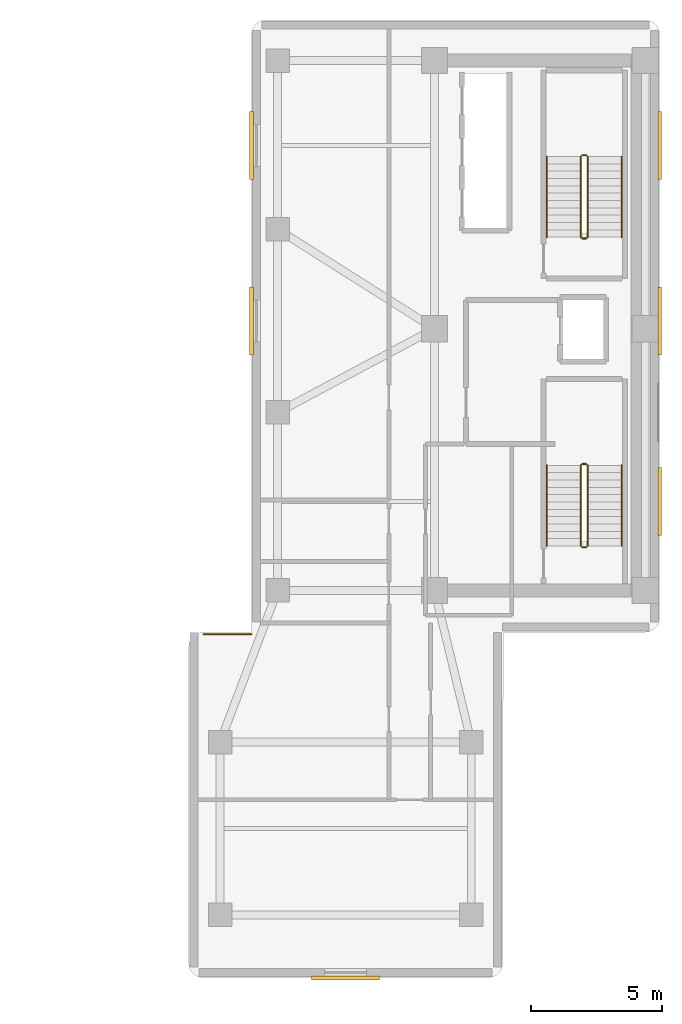
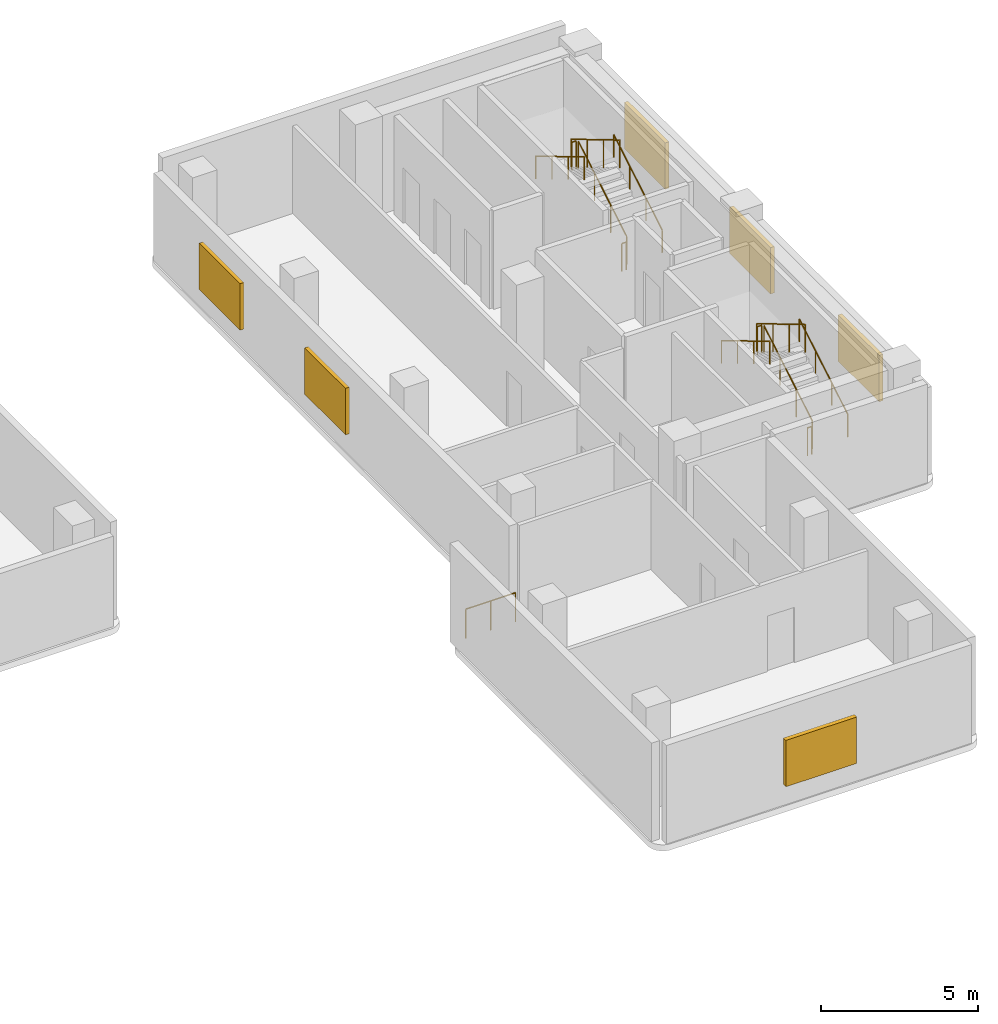
# One storey, part 9 of 9: 13 railings, 6 shading devices.
"""IFC4 building model written with IfcOpenShell, lengths in metres."""

import ifcopenshell
import ifcopenshell.guid

model = None  # the IFC model being written
_history = None  # IfcOwnerHistory: only IFC2X3 demands one
_inside = {}  # id of a spatial element -> (the spatial element, [elements in it])
_under = {}  # id of a project, library or spatial element -> (it, [spatial elements below it])
_declared = {}  # id of a project -> (the project, [libraries it declares])
_typed = {}  # id of a type object -> (the type object, [elements of that type])
_made_of = {}  # id of a material, layer set ... -> (it, [elements and type objects made of it])


def new_model(schema):
    """Start an empty IFC model of exactly this schema.

    Asked for "IFC4X3", IfcOpenShell would pick the latest addendum, in which some entities
    have other attributes; the version numbers below select the first issue.
    IFC2X3 requires an IfcOwnerHistory on every rooted entity: one is made here for all.
    """
    global model, _history
    if schema == "IFC4X3":
        model = ifcopenshell.file(schema_version=(4, 3, 0, 0))
    else:
        model = ifcopenshell.file(schema=schema)
    _inside.clear()
    _under.clear()
    _declared.clear()
    _typed.clear()
    _made_of.clear()
    _history = None
    if model.schema == "IFC2X3":
        org = make("IfcOrganization", Name="unknown")
        user = make(
            "IfcPersonAndOrganization",
            ThePerson=make("IfcPerson", FamilyName="unknown"),
            TheOrganization=org,
        )
        app = make(
            "IfcApplication",
            ApplicationDeveloper=org,
            Version="unknown",
            ApplicationFullName="unknown",
            ApplicationIdentifier="unknown",
        )
        _history = make(
            "IfcOwnerHistory",
            OwningUser=user,
            OwningApplication=app,
            ChangeAction="ADDED",
            CreationDate=0,
        )
    return model


def make(cls, **values):
    """One entity of the class cls with the attributes given. An attribute that is None is left unset."""
    return model.create_entity(
        cls, **{name: value for name, value in values.items() if value is not None}
    )


def rooted(cls, **values):
    """An entity with a GlobalId (a new one), such as an element, a storey or a relation."""
    return make(cls, GlobalId=ifcopenshell.guid.new(), OwnerHistory=_history, **values)


def si_unit(unit_type, name, prefix=None):
    """IfcSIUnit, for example si_unit("LENGTHUNIT", "METRE", prefix="MILLI")."""
    return make("IfcSIUnit", UnitType=unit_type, Prefix=prefix, Name=name)


def assignment(units):
    """IfcUnitAssignment: the units of a project."""
    return None if units is None else make("IfcUnitAssignment", Units=units)


def point(xyz):
    """IfcCartesianPoint."""
    return None if xyz is None else make("IfcCartesianPoint", Coordinates=xyz)


def direction(xyz):
    """IfcDirection."""
    return None if xyz is None else make("IfcDirection", DirectionRatios=xyz)


def frame(location, z_axis=None, x_axis=None):
    """IfcAxis2Placement3D, a coordinate frame: its origin and axes. An axis left out is left unset."""
    return make(
        "IfcAxis2Placement3D",
        Location=point(location),
        Axis=direction(z_axis),
        RefDirection=direction(x_axis),
    )


def frame_2d(location, x_axis=None):
    """IfcAxis2Placement2D, a coordinate frame in the plane: its origin and x axis."""
    return make(
        "IfcAxis2Placement2D", Location=point(location), RefDirection=direction(x_axis)
    )


def origin():
    """The frame at (0, 0, 0) with its axes left unset."""
    return frame((0.0, 0.0, 0.0))


def origin_2d():
    """The frame at (0, 0) in the plane with its x axis left unset."""
    return frame_2d((0.0, 0.0))


def place(relative_to, where):
    """IfcLocalPlacement: puts the frame where relative to a parent placement (None: the world)."""
    return make(
        "IfcLocalPlacement", PlacementRelTo=relative_to, RelativePlacement=where
    )


def context(
    kind, dimensions, precision=None, world=None, true_north=None, identifier=None
):
    """IfcGeometricRepresentationContext, for example the 3D "Model" context."""
    return make(
        "IfcGeometricRepresentationContext",
        ContextIdentifier=identifier,
        ContextType=kind,
        CoordinateSpaceDimension=dimensions,
        Precision=precision,
        WorldCoordinateSystem=world,
        TrueNorth=true_north,
    )


def subcontext(parent, identifier, kind, view, scale=None):
    """IfcGeometricRepresentationSubContext, for example "Body" below "Model"."""
    return make(
        "IfcGeometricRepresentationSubContext",
        ContextIdentifier=identifier,
        ContextType=kind,
        ParentContext=parent,
        TargetScale=scale,
        TargetView=view,
    )


def project(units=None, contexts=None):
    """IfcProject with its units and contexts."""
    return rooted(
        "IfcProject",
        Name="project",
        RepresentationContexts=contexts,
        UnitsInContext=assignment(units),
    )


def spatial(cls, under=None, at=None, **own):
    """A site, building, storey or space (cls), placed at a placement, below another one or the project."""
    s = rooted(cls, ObjectPlacement=at, **own)
    if under is not None:
        _under.setdefault(under.id(), (under, []))[1].append(s)
    return s


def profile(cls, at=None, kind="AREA", **sizes):
    """A parametric profile (cls). Its sizes go by their IFC names, for example OverallWidth=200.0."""
    return make(cls, ProfileType=kind, Position=at, **sizes)


def rectangle(**sizes):
    """IfcRectangleProfileDef."""
    return profile("IfcRectangleProfileDef", **sizes)


def circle(**sizes):
    """IfcCircleProfileDef."""
    return profile("IfcCircleProfileDef", **sizes)


def extrude(swept, where, along, depth):
    """IfcExtrudedAreaSolid: the profile swept, set in the frame where, extruded along a direction by depth."""
    return make(
        "IfcExtrudedAreaSolid",
        SweptArea=swept,
        Position=where,
        ExtrudedDirection=direction(along),
        Depth=depth,
    )


def shape(context_of_items, identifier, shape_type, items):
    """IfcShapeRepresentation: the items that make up one representation, for example the "Body"."""
    return make(
        "IfcShapeRepresentation",
        ContextOfItems=context_of_items,
        RepresentationIdentifier=identifier,
        RepresentationType=shape_type,
        Items=items,
    )


def material(Name=None, Category=None):
    """IfcMaterial."""
    return make("IfcMaterial", Name=Name, Category=Category)


def layer(
    of_material, thickness, ventilated=None, Name=None, Category=None, Priority=None
):
    """IfcMaterialLayer: one layer of a wall or slab, of a material (None: an air gap)."""
    return make(
        "IfcMaterialLayer",
        Material=of_material,
        LayerThickness=thickness,
        IsVentilated=ventilated,
        Name=Name,
        Category=Category,
        Priority=Priority,
    )


def layer_set(layers, Name=None):
    """IfcMaterialLayerSet."""
    return make("IfcMaterialLayerSet", MaterialLayers=layers, LayerSetName=Name)


def made_of(thing, what):
    """Note that an element or type object is made of a material, layer set ...; save() writes the relation."""
    if what is not None:
        _made_of.setdefault(what.id(), (what, []))[1].append(thing)
    return thing


def type_object(cls, material=None, **own):
    """A type object (cls), such as IfcWallType, which elements share."""
    return made_of(rooted(cls, **own), material)


def element(
    cls,
    number,
    at=None,
    inside=None,
    cuts=None,
    type_object=None,
    material=None,
    context=None,
    identifier="Body",
    shape_type=None,
    held_by="IfcProductDefinitionShape",
    body=None,
    shapes=None,
    **own,
):
    """One element of the class cls, such as IfcWall. Its Tag is "e" and its number.

    at: its placement. inside: the storey or other place that contains it. cuts: it is an
    opening in that element (IfcRelVoidsElement). A single representation is given by context,
    identifier, shape_type and body (its items); several are given by shapes. held_by: the class
    of the entity that holds the representations. save() writes the other relations.
    """
    e = rooted(cls, Tag="e%d" % number, ObjectPlacement=at, **own)
    if body is not None:
        shapes = [shape(context, identifier, shape_type, body)]
    if shapes is not None:
        e.Representation = make(held_by, Representations=shapes)
    if inside is not None:
        _inside.setdefault(inside.id(), (inside, []))[1].append(e)
    if cuts is not None:
        rooted(
            "IfcRelVoidsElement", RelatingBuildingElement=cuts, RelatedOpeningElement=e
        )
    if type_object is not None:
        _typed.setdefault(type_object.id(), (type_object, []))[1].append(e)
    return made_of(e, material)


def aggregate(whole, parts):
    """IfcRelAggregates: a whole, such as a stair, and the parts it consists of."""
    return rooted("IfcRelAggregates", RelatingObject=whole, RelatedObjects=parts)


def save(model, path):
    """Write the relations noted so far, then the file.

    IfcRelAggregates (storeys below a building ...), IfcRelContainedInSpatialStructure (elements
    in a storey), IfcRelDefinesByType, IfcRelAssociatesMaterial and IfcRelDeclares: one each for
    every whole, place, type object, material and project.
    """
    for whole, parts in _under.values():
        aggregate(whole, parts)
    for where, things in _inside.values():
        rooted(
            "IfcRelContainedInSpatialStructure",
            RelatedElements=things,
            RelatingStructure=where,
        )
    for kind, things in _typed.values():
        rooted("IfcRelDefinesByType", RelatedObjects=things, RelatingType=kind)
    for what, things in _made_of.values():
        rooted("IfcRelAssociatesMaterial", RelatedObjects=things, RelatingMaterial=what)
    for by, libraries in _declared.values():
        rooted("IfcRelDeclares", RelatingContext=by, RelatedDefinitions=libraries)
    model.write(path)


model = new_model("IFC4")

# Units and contexts
model_context = context("Model", 3, precision=1e-05, world=origin(), true_north=direction((0.0, 1.0)))
body_context = subcontext(model_context, "Body", "Model", "MODEL_VIEW")
ifc_project = project(units=[si_unit("LENGTHUNIT", "METRE"), si_unit("AREAUNIT", "SQUARE_METRE"), si_unit("VOLUMEUNIT", "CUBIC_METRE"), si_unit("PLANEANGLEUNIT", "RADIAN"), si_unit("MASSUNIT", "GRAM", prefix="KILO")], contexts=[model_context])

# Site, building, storey
site_placement = place(None, origin())
site = spatial("IfcSite", under=ifc_project, at=site_placement, CompositionType="ELEMENT")
building_placement = place(site_placement, origin())
building = spatial("IfcBuilding", under=site, at=building_placement, Name="Kuzgunbayir Cultural Tower", CompositionType="ELEMENT")
storey_placement = place(building_placement, frame((0.0, 0.0, 79.39990234375)))
storey = spatial("IfcBuildingStorey", under=building, at=storey_placement, Name="L22", CompositionType="ELEMENT", Elevation=79.39990234375)

# Railings
ifc_material_1 = material(Name="Laminated Glass and Stainless Steel", Category="steel")
ifc_layer_1 = layer(ifc_material_1, 0.080078125)
ifc_layer_set_1 = layer_set([ifc_layer_1], Name="Laminated Glass and Stainless Steel")
railing_type_1 = type_object("IfcRailingType", Name="RLG-BAL-115", PredefinedType="BALUSTRADE", material=ifc_layer_set_1)
railing_1_placement = place(storey_placement, frame((55.780029296875, 20.320068359375, 0.0)))
element("IfcRailing", 1, at=railing_1_placement, inside=storey, type_object=railing_type_1, Name="L22 Perimeter Edge Guard 1", PredefinedType="BALUSTRADE", context=body_context, shape_type="SweptSolid", body=[
    extrude(circle(Radius=0.02392578125, at=origin_2d()), frame((0.0, 0.0, 1.1259765625), z_axis=(1.0, 0.0, 0.0), x_axis=(0.0, 1.0, 0.0)), (0.0, 0.0, 1.0), 1.820068359375),
    extrude(circle(Radius=0.02099609375, at=origin_2d()), origin(), (0.0, 0.0, 1.0), 1.101806640625),
    extrude(circle(Radius=0.02099609375, at=origin_2d()), frame((0.91015625, 0.0, 0.0)), (0.0, 0.0, 1.0), 1.101806640625),
    extrude(circle(Radius=0.02099609375, at=origin_2d()), frame((1.820068359375, 0.0, 0.0)), (0.0, 0.0, 1.0), 1.101806640625),
])
ifc_material_2 = material(Name="Brushed Stainless Steel", Category="steel")
ifc_layer_2 = layer(ifc_material_2, 0.050048828125)
ifc_layer_set_2 = layer_set([ifc_layer_2], Name="Brushed Stainless Steel")
railing_type_2 = type_object("IfcRailingType", Name="RLG-STAIR-HANDRAIL", PredefinedType="HANDRAIL", material=ifc_layer_set_2)
railing_2_placement = place(storey_placement, frame((71.75, 23.699951171875, 0.166748046875)))
element("IfcRailing", 2, at=railing_2_placement, inside=storey, type_object=railing_type_2, Name="L22 ST-3 stair handrail 1", PredefinedType="HANDRAIL", context=body_context, shape_type="SweptSolid", body=[
    extrude(circle(Radius=0.02392578125, at=origin_2d()), frame((0.0, 0.0, 0.8759765625), z_axis=(0.0, 0.859308565015, 0.511457515432), x_axis=(-1.0, 0.0, 0.0)), (0.0, 0.0, 1.0), 3.58447265625),
    extrude(circle(Radius=0.02099609375, at=origin_2d()), origin(), (0.0, 0.0, 1.0), 0.851806640625),
    extrude(circle(Radius=0.02099609375, at=origin_2d()), frame((0.0, 1.026611328125, 0.611083984375)), (0.0, 0.0, 1.0), 0.851806640625),
    extrude(circle(Radius=0.02099609375, at=origin_2d()), frame((0.0, 2.053466796875, 1.22216796875)), (0.0, 0.0, 1.0), 0.851806640625),
    extrude(circle(Radius=0.02099609375, at=origin_2d()), frame((0.0, 3.080078125, 1.833251953125)), (0.0, 0.0, 1.0), 0.851806640625),
])
railing_3_placement = place(storey_placement, frame((68.889892578125, 26.780029296875, 2.166748046875)))
element("IfcRailing", 3, at=railing_3_placement, inside=storey, type_object=railing_type_2, Name="L22 ST-3 stair handrail 2", PredefinedType="HANDRAIL", context=body_context, shape_type="SweptSolid", body=[
    extrude(circle(Radius=0.02392578125, at=origin_2d()), frame((0.0, 0.0, 0.8759765625), z_axis=(0.0, -0.859308565015, 0.511457515432), x_axis=(1.0, 0.0, 0.0)), (0.0, 0.0, 1.0), 3.58447265625),
    extrude(circle(Radius=0.02099609375, at=origin_2d()), origin(), (0.0, 0.0, 1.0), 0.851806640625),
    extrude(circle(Radius=0.02099609375, at=origin_2d()), frame((0.0, -1.026611328125, 0.611083984375)), (0.0, 0.0, 1.0), 0.851806640625),
    extrude(circle(Radius=0.02099609375, at=origin_2d()), frame((0.0, -2.053466796875, 1.22216796875)), (0.0, 0.0, 1.0), 0.851806640625),
    extrude(circle(Radius=0.02099609375, at=origin_2d()), frame((0.0, -3.080078125, 1.833251953125)), (0.0, 0.0, 1.0), 0.851806640625),
])
railing_4_placement = place(storey_placement, frame((71.75, 35.5, 0.166748046875)))
element("IfcRailing", 4, at=railing_4_placement, inside=storey, type_object=railing_type_2, Name="L22 ST-4 stair handrail 1", PredefinedType="HANDRAIL", context=body_context, shape_type="SweptSolid", body=[
    extrude(circle(Radius=0.02392578125, at=origin_2d()), frame((0.0, 0.0, 0.8759765625), z_axis=(0.0, 0.859308565015, 0.511457515432), x_axis=(-1.0, 0.0, 0.0)), (0.0, 0.0, 1.0), 3.58447265625),
    extrude(circle(Radius=0.02099609375, at=origin_2d()), origin(), (0.0, 0.0, 1.0), 0.851806640625),
    extrude(circle(Radius=0.02099609375, at=origin_2d()), frame((0.0, 1.026611328125, 0.611083984375)), (0.0, 0.0, 1.0), 0.851806640625),
    extrude(circle(Radius=0.02099609375, at=origin_2d()), frame((0.0, 2.053466796875, 1.22216796875)), (0.0, 0.0, 1.0), 0.851806640625),
    extrude(circle(Radius=0.02099609375, at=origin_2d()), frame((0.0, 3.080078125, 1.833251953125)), (0.0, 0.0, 1.0), 0.851806640625),
])
railing_5_placement = place(storey_placement, frame((68.889892578125, 38.580078125, 2.166748046875)))
element("IfcRailing", 5, at=railing_5_placement, inside=storey, type_object=railing_type_2, Name="L22 ST-4 stair handrail 2", PredefinedType="HANDRAIL", context=body_context, shape_type="SweptSolid", body=[
    extrude(circle(Radius=0.02392578125, at=origin_2d()), frame((0.0, 0.0, 0.8759765625), z_axis=(0.0, -0.859308565015, 0.511457515432), x_axis=(1.0, 0.0, 0.0)), (0.0, 0.0, 1.0), 3.58447265625),
    extrude(circle(Radius=0.02099609375, at=origin_2d()), origin(), (0.0, 0.0, 1.0), 0.851806640625),
    extrude(circle(Radius=0.02099609375, at=origin_2d()), frame((0.0, -1.026611328125, 0.611083984375)), (0.0, 0.0, 1.0), 0.851806640625),
    extrude(circle(Radius=0.02099609375, at=origin_2d()), frame((0.0, -2.053466796875, 1.22216796875)), (0.0, 0.0, 1.0), 0.851806640625),
    extrude(circle(Radius=0.02099609375, at=origin_2d()), frame((0.0, -3.080078125, 1.833251953125)), (0.0, 0.0, 1.0), 0.851806640625),
])
ifc_material_3 = material(Name="Painted Steel Balustrade", Category="steel")
ifc_layer_3 = layer(ifc_material_3, 0.06005859375)
ifc_layer_set_3 = layer_set([ifc_layer_3], Name="Painted Steel Balustrade")
railing_type_3 = type_object("IfcRailingType", Name="RLG-WELL-GUARD", PredefinedType="GUARDRAIL", material=ifc_layer_set_3)
railing_6_placement = place(storey_placement, frame((70.449951171875, 23.699951171875, 0.166748046875)))
element("IfcRailing", 6, at=railing_6_placement, inside=storey, type_object=railing_type_3, Name="L22 ST-3 stair guard 1", PredefinedType="GUARDRAIL", context=body_context, shape_type="SweptSolid", body=[
    extrude(circle(Radius=0.02392578125, at=origin_2d()), frame((0.0, 0.0, 1.076171875), z_axis=(0.0, 0.859308565015, 0.511457515432), x_axis=(-1.0, 0.0, 0.0)), (0.0, 0.0, 1.0), 3.58447265625),
    extrude(circle(Radius=0.02099609375, at=origin_2d()), origin(), (0.0, 0.0, 1.0), 1.052001953125),
    extrude(circle(Radius=0.02099609375, at=origin_2d()), frame((0.0, 1.026611328125, 0.611083984375)), (0.0, 0.0, 1.0), 1.052001953125),
    extrude(circle(Radius=0.02099609375, at=origin_2d()), frame((0.0, 2.053466796875, 1.22216796875)), (0.0, 0.0, 1.0), 1.052001953125),
    extrude(circle(Radius=0.02099609375, at=origin_2d()), frame((0.0, 3.080078125, 1.833251953125)), (0.0, 0.0, 1.0), 1.052001953125),
])
railing_7_placement = place(storey_placement, frame((70.39990234375, 26.830078125, 2.0)))
element("IfcRailing", 7, at=railing_7_placement, inside=storey, type_object=railing_type_3, Name="L22 ST-3 stair guard 2", PredefinedType="GUARDRAIL", context=body_context, shape_type="SweptSolid", body=[
    extrude(circle(Radius=0.02392578125, at=origin_2d()), frame((0.0, 0.0, 1.076171875), z_axis=(-1.0, 0.0, 0.0), x_axis=(0.0, -1.0, 0.0)), (0.0, 0.0, 1.0), 0.159912109375),
    extrude(circle(Radius=0.02099609375, at=origin_2d()), origin(), (0.0, 0.0, 1.0), 1.052001953125),
    extrude(circle(Radius=0.02099609375, at=origin_2d()), frame((-0.159912109375, 0.0, 0.0)), (0.0, 0.0, 1.0), 1.052001953125),
])
railing_8_placement = place(storey_placement, frame((70.18994140625, 26.780029296875, 2.166748046875)))
element("IfcRailing", 8, at=railing_8_placement, inside=storey, type_object=railing_type_3, Name="L22 ST-3 stair guard 3", PredefinedType="GUARDRAIL", context=body_context, shape_type="SweptSolid", body=[
    extrude(circle(Radius=0.02392578125, at=origin_2d()), frame((0.0, 0.0, 1.076171875), z_axis=(0.0, -0.859308565015, 0.511457515432), x_axis=(1.0, 0.0, 0.0)), (0.0, 0.0, 1.0), 3.58447265625),
    extrude(circle(Radius=0.02099609375, at=origin_2d()), origin(), (0.0, 0.0, 1.0), 1.052001953125),
    extrude(circle(Radius=0.02099609375, at=origin_2d()), frame((0.0, -1.026611328125, 0.611083984375)), (0.0, 0.0, 1.0), 1.052001953125),
    extrude(circle(Radius=0.02099609375, at=origin_2d()), frame((0.0, -2.053466796875, 1.22216796875)), (0.0, 0.0, 1.0), 1.052001953125),
    extrude(circle(Radius=0.02099609375, at=origin_2d()), frame((0.0, -3.080078125, 1.833251953125)), (0.0, 0.0, 1.0), 1.052001953125),
])
railing_9_placement = place(storey_placement, frame((70.39990234375, 23.64990234375, 0.0)))
element("IfcRailing", 9, at=railing_9_placement, inside=storey, type_object=railing_type_3, Name="L22 ST-3 stair guard 4", PredefinedType="GUARDRAIL", context=body_context, shape_type="SweptSolid", body=[
    extrude(circle(Radius=0.02392578125, at=origin_2d()), frame((0.0, 0.0, 1.076171875), z_axis=(-1.0, 0.0, 0.0), x_axis=(0.0, -1.0, 0.0)), (0.0, 0.0, 1.0), 0.159912109375),
    extrude(circle(Radius=0.02099609375, at=origin_2d()), origin(), (0.0, 0.0, 1.0), 1.052001953125),
    extrude(circle(Radius=0.02099609375, at=origin_2d()), frame((-0.159912109375, 0.0, 0.0)), (0.0, 0.0, 1.0), 1.052001953125),
])
railing_10_placement = place(storey_placement, frame((70.449951171875, 35.5, 0.166748046875)))
element("IfcRailing", 10, at=railing_10_placement, inside=storey, type_object=railing_type_3, Name="L22 ST-4 stair guard 1", PredefinedType="GUARDRAIL", context=body_context, shape_type="SweptSolid", body=[
    extrude(circle(Radius=0.02392578125, at=origin_2d()), frame((0.0, 0.0, 1.076171875), z_axis=(0.0, 0.859308565015, 0.511457515432), x_axis=(-1.0, 0.0, 0.0)), (0.0, 0.0, 1.0), 3.58447265625),
    extrude(circle(Radius=0.02099609375, at=origin_2d()), origin(), (0.0, 0.0, 1.0), 1.052001953125),
    extrude(circle(Radius=0.02099609375, at=origin_2d()), frame((0.0, 1.026611328125, 0.611083984375)), (0.0, 0.0, 1.0), 1.052001953125),
    extrude(circle(Radius=0.02099609375, at=origin_2d()), frame((0.0, 2.053466796875, 1.22216796875)), (0.0, 0.0, 1.0), 1.052001953125),
    extrude(circle(Radius=0.02099609375, at=origin_2d()), frame((0.0, 3.080078125, 1.833251953125)), (0.0, 0.0, 1.0), 1.052001953125),
])
railing_11_placement = place(storey_placement, frame((70.39990234375, 38.6298828125, 2.0)))
element("IfcRailing", 11, at=railing_11_placement, inside=storey, type_object=railing_type_3, Name="L22 ST-4 stair guard 2", PredefinedType="GUARDRAIL", context=body_context, shape_type="SweptSolid", body=[
    extrude(circle(Radius=0.02392578125, at=origin_2d()), frame((0.0, 0.0, 1.076171875), z_axis=(-1.0, 0.0, 0.0), x_axis=(0.0, -1.0, 0.0)), (0.0, 0.0, 1.0), 0.159912109375),
    extrude(circle(Radius=0.02099609375, at=origin_2d()), origin(), (0.0, 0.0, 1.0), 1.052001953125),
    extrude(circle(Radius=0.02099609375, at=origin_2d()), frame((-0.159912109375, 0.0, 0.0)), (0.0, 0.0, 1.0), 1.052001953125),
])
railing_12_placement = place(storey_placement, frame((70.18994140625, 38.580078125, 2.166748046875)))
element("IfcRailing", 12, at=railing_12_placement, inside=storey, type_object=railing_type_3, Name="L22 ST-4 stair guard 3", PredefinedType="GUARDRAIL", context=body_context, shape_type="SweptSolid", body=[
    extrude(circle(Radius=0.02392578125, at=origin_2d()), frame((0.0, 0.0, 1.076171875), z_axis=(0.0, -0.859308565015, 0.511457515432), x_axis=(1.0, 0.0, 0.0)), (0.0, 0.0, 1.0), 3.58447265625),
    extrude(circle(Radius=0.02099609375, at=origin_2d()), origin(), (0.0, 0.0, 1.0), 1.052001953125),
    extrude(circle(Radius=0.02099609375, at=origin_2d()), frame((0.0, -1.026611328125, 0.611083984375)), (0.0, 0.0, 1.0), 1.052001953125),
    extrude(circle(Radius=0.02099609375, at=origin_2d()), frame((0.0, -2.053466796875, 1.22216796875)), (0.0, 0.0, 1.0), 1.052001953125),
    extrude(circle(Radius=0.02099609375, at=origin_2d()), frame((0.0, -3.080078125, 1.833251953125)), (0.0, 0.0, 1.0), 1.052001953125),
])
railing_13_placement = place(storey_placement, frame((70.39990234375, 35.449951171875, 0.0)))
element("IfcRailing", 13, at=railing_13_placement, inside=storey, type_object=railing_type_3, Name="L22 ST-4 stair guard 4", PredefinedType="GUARDRAIL", context=body_context, shape_type="SweptSolid", body=[
    extrude(circle(Radius=0.02392578125, at=origin_2d()), frame((0.0, 0.0, 1.076171875), z_axis=(-1.0, 0.0, 0.0), x_axis=(0.0, -1.0, 0.0)), (0.0, 0.0, 1.0), 0.159912109375),
    extrude(circle(Radius=0.02099609375, at=origin_2d()), origin(), (0.0, 0.0, 1.0), 1.052001953125),
    extrude(circle(Radius=0.02099609375, at=origin_2d()), frame((-0.159912109375, 0.0, 0.0)), (0.0, 0.0, 1.0), 1.052001953125),
])

# Shading devices
ifc_material_4 = material(Name="Perforated Bronze-Anodised Aluminium", Category="aluminium")
shading_device_type_1 = type_object("IfcShadingDeviceType", Name="SHD-SOLAR-BRONZE", PredefinedType="JALOUSIE", material=ifc_material_4)
for number, where, z_axis, x_axis, name in (
    (14, (57.60009765625, 32.300048828125, 0.80029296875), (0.0, 0.0, 1.0), (1.0, 0.0, 0.0), "L22 Companion Bronze Solar Screen 32"),
    (15, (57.60009765625, 39.0, 0.80029296875), (0.0, 0.0, 1.0), (1.0, 0.0, 0.0), "L22 Companion Bronze Solar Screen 39"),
    (16, (73.199951171875, 25.39990234375, 0.80029296875), (0.0, 0.0, 1.0), (1.0, 0.0, 0.0), "L22 Companion East Bronze Solar Screen 25"),
    (17, (73.199951171875, 32.300048828125, 0.80029296875), (0.0, 0.0, 1.0), (1.0, 0.0, 0.0), "L22 Companion East Bronze Solar Screen 32"),
    (18, (73.199951171875, 39.0, 0.80029296875), (0.0, 0.0, 1.0), (1.0, 0.0, 0.0), "L22 Companion East Bronze Solar Screen 39"),
):
    element("IfcShadingDevice", number, at=place(storey_placement, frame(where, z_axis=z_axis, x_axis=x_axis)), inside=storey, type_object=shading_device_type_1, Name=name, PredefinedType="JALOUSIE", context=body_context, shape_type="SweptSolid", body=[
        extrude(rectangle(XDim=0.139892578125, YDim=2.60009765625, at=origin_2d()), origin(), (0.0, 0.0, 1.0), 1.800048828125),
    ])
ifc_material_5 = material(Name="Warm Terracotta Ceramic Baguette", Category="masonry")
shading_device_type_2 = type_object("IfcShadingDeviceType", Name="SHD-SOLAR-CERAMIC", PredefinedType="SHUTTER", material=ifc_material_5)
shading_device_placement = place(storey_placement, frame((61.199951171875, 7.18994140625, 0.80029296875), z_axis=(0.0, 0.0, 1.0), x_axis=(1.0, 0.0, 0.0)))
element("IfcShadingDevice", 19, at=shading_device_placement, inside=storey, type_object=shading_device_type_2, Name="L22 Companion Ceramic Solar Screen S1", PredefinedType="SHUTTER", context=body_context, shape_type="SweptSolid", body=[
    extrude(rectangle(XDim=2.60009765625, YDim=0.159912109375, at=origin_2d()), origin(), (0.0, 0.0, 1.0), 1.800048828125),
])

save(model, "model.ifc")
